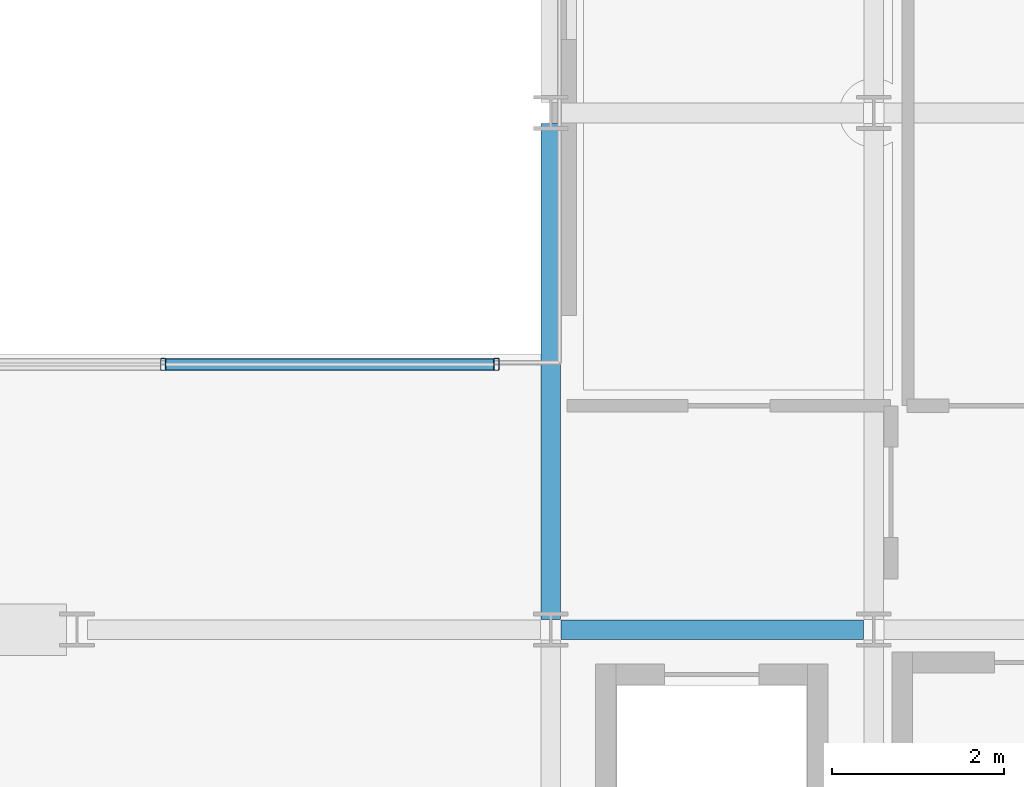
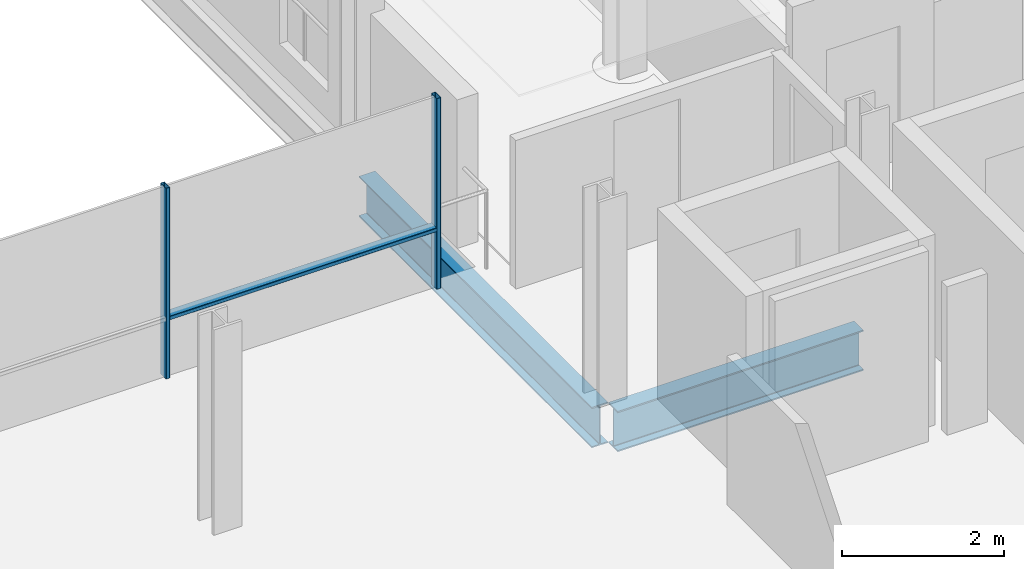
# One storey, part 15 of 38: 3 members, 2 beams, 1 element without a shape of its own.
"""IFC4 building model written with IfcOpenShell, lengths in metres."""

from ifc_helpers import new_model, si_unit, direction, frame, origin, origin_2d, place, context, subcontext, project, spatial, hollow_rectangle, i_section, extrude, material, layer, layer_set, material_profile, profile_set, type_object, element, aggregate, save


model = new_model("IFC4")

# Units and contexts
model_context = context("Model", 3, precision=1e-05, world=origin(), true_north=direction((0.0, 1.0)))
body_context = subcontext(model_context, "Body", "Model", "MODEL_VIEW")
ifc_project = project(units=[si_unit("LENGTHUNIT", "METRE"), si_unit("AREAUNIT", "SQUARE_METRE"), si_unit("VOLUMEUNIT", "CUBIC_METRE"), si_unit("PLANEANGLEUNIT", "RADIAN"), si_unit("MASSUNIT", "GRAM", prefix="KILO")], contexts=[model_context])

# Site, building, storey
site_placement = place(None, origin())
site = spatial("IfcSite", under=ifc_project, at=site_placement, CompositionType="ELEMENT")
building_placement = place(site_placement, origin())
building = spatial("IfcBuilding", under=site, at=building_placement, Name="Brevholm Reach", CompositionType="ELEMENT")
storey_placement = place(building_placement, frame((0.0, 0.0, 166.60009765625)))
storey = spatial("IfcBuildingStorey", under=building, at=storey_placement, Name="L50", CompositionType="ELEMENT", Elevation=166.60009765625)

# Beams
ifc_material_1 = material(Name="Structural Steel S355J2", Category="steel")
ifc_material_profile_1 = material_profile(ifc_material_1, i_section(OverallWidth=0.22900390625, OverallDepth=0.6123046875, WebThickness=0.011962890625, FlangeThickness=0.01953125, FilletRadius=0.0126953125, at=origin_2d()), Name="UKB 610x229x125")
ifc_profile_set_1 = profile_set([ifc_material_profile_1], Name="Structural Steel S355J2")
beam_type = type_object("IfcBeamType", Name="BM-SP610", PredefinedType="SPANDREL", material=ifc_profile_set_1)
beam_1_placement = place(storey_placement, frame((38.3701171875, 10.0, -0.526123046875), z_axis=(1.0, 0.0, 0.0), x_axis=(0.0, 1.0, 0.0)))
element("IfcBeam", 1, at=beam_1_placement, inside=storey, type_object=beam_type, Name="L50 SP-01 Framing Beam", PredefinedType="SPANDREL", context=body_context, shape_type="SweptSolid", body=[
    extrude(i_section(OverallWidth=0.22900390625, OverallDepth=0.6123046875, WebThickness=0.011962890625, FlangeThickness=0.01953125, FilletRadius=0.0126953125, at=origin_2d()), origin(), (0.0, 0.0, 1.0), 3.509765625),
])
beam_2_placement = place(storey_placement, frame((38.25, 10.1201171875, -0.526123046875), z_axis=(0.0, 1.0, 0.0), x_axis=(-1.0, 0.0, 0.0)))
element("IfcBeam", 2, at=beam_2_placement, inside=storey, type_object=beam_type, Name="L50 SP-01 Framing Beam", PredefinedType="SPANDREL", context=body_context, shape_type="SweptSolid", body=[
    extrude(i_section(OverallWidth=0.22900390625, OverallDepth=0.6123046875, WebThickness=0.011962890625, FlangeThickness=0.01953125, FilletRadius=0.0126953125, at=origin_2d()), origin(), (0.0, 0.0, 1.0), 5.759765625),
])

# Curtain wall, members
ifc_material_2 = material(Name="Dark Anodised Aluminium 6063-T6 and Solar-Control Glass", Category="aluminium")
ifc_layer = layer(ifc_material_2, 0.139892578125)
ifc_layer_set = layer_set([ifc_layer], Name="Dark Anodised Aluminium 6063-T6 and Solar-Control Glass")
curtain_wall_type = type_object("IfcCurtainWallType", Name="CW-02", PredefinedType="NOTDEFINED", material=ifc_layer_set)
curtain_wall_placement = place(storey_placement, origin())
curtain_wall = element("IfcCurtainWall", 3, at=curtain_wall_placement, inside=storey, type_object=curtain_wall_type, Name="L50 Curtain Wall CW-02", PredefinedType="NOTDEFINED")
ifc_material_3 = material(Name="Dark Anodised Aluminium 6063-T6", Category="aluminium")
ifc_material_profile_2 = material_profile(ifc_material_3, hollow_rectangle(XDim=0.06005859375, YDim=0.139892578125, WallThickness=0.0048828125, InnerFilletRadius=0.0048828125, OuterFilletRadius=0.010009765625, at=origin_2d()), Name="RHS 140x60x5")
ifc_profile_set_2 = profile_set([ifc_material_profile_2], Name="Dark Anodised Aluminium 6063-T6")
member_type_1 = type_object("IfcMemberType", Name="CWM-140", PredefinedType="MULLION", material=ifc_profile_set_2)
member_1_placement = place(storey_placement, frame((33.75, 13.080078125, 0.0), z_axis=(0.0, 0.0, 1.0), x_axis=(1.0, 0.0, 0.0)))
member_1 = element("IfcMember", 4, at=member_1_placement, type_object=member_type_1, Name="CM-140 Mullion 4", PredefinedType="MULLION", context=body_context, shape_type="SweptSolid", body=[
    extrude(hollow_rectangle(XDim=0.06005859375, YDim=0.139892578125, WallThickness=0.0048828125, InnerFilletRadius=0.0048828125, OuterFilletRadius=0.010009765625, at=origin_2d()), origin(), (0.0, 0.0, 1.0), 2.8798828125),
])
member_2_placement = place(storey_placement, frame((37.6201171875, 13.080078125, 0.0), z_axis=(0.0, 0.0, 1.0), x_axis=(1.0, 0.0, 0.0)))
member_2 = element("IfcMember", 5, at=member_2_placement, type_object=member_type_1, Name="CM-140 Mullion 5", PredefinedType="MULLION", context=body_context, shape_type="SweptSolid", body=[
    extrude(hollow_rectangle(XDim=0.06005859375, YDim=0.139892578125, WallThickness=0.0048828125, InnerFilletRadius=0.0048828125, OuterFilletRadius=0.010009765625, at=origin_2d()), origin(), (0.0, 0.0, 1.0), 2.8798828125),
])
ifc_material_4 = material(Name="Dark Anodised Aluminium 6063-T6", Category="aluminium")
ifc_material_profile_3 = material_profile(ifc_material_4, hollow_rectangle(XDim=0.06005859375, YDim=0.139892578125, WallThickness=0.0048828125, InnerFilletRadius=0.0048828125, OuterFilletRadius=0.010009765625, at=origin_2d()), Name="RHS 140x60x5")
ifc_profile_set_3 = profile_set([ifc_material_profile_3], Name="Dark Anodised Aluminium 6063-T6")
member_type_2 = type_object("IfcMemberType", Name="CWT-140", PredefinedType="NOTDEFINED", material=ifc_profile_set_3)
member_3_placement = place(storey_placement, frame((33.780029296875, 13.080078125, 0.89990234375), z_axis=(1.0, 0.0, 0.0), x_axis=(0.0, 0.0, 1.0)))
member_3 = element("IfcMember", 6, at=member_3_placement, type_object=member_type_2, Name="CT-140 Transom 4.1", ObjectType="TRANSOM", PredefinedType="USERDEFINED", context=body_context, shape_type="SweptSolid", body=[
    extrude(hollow_rectangle(XDim=0.06005859375, YDim=0.139892578125, WallThickness=0.0048828125, InnerFilletRadius=0.0048828125, OuterFilletRadius=0.010009765625, at=origin_2d()), origin(), (0.0, 0.0, 1.0), 3.81005859375),
])
aggregate(curtain_wall, [member_1, member_2, member_3])

save(model, "model.ifc")
